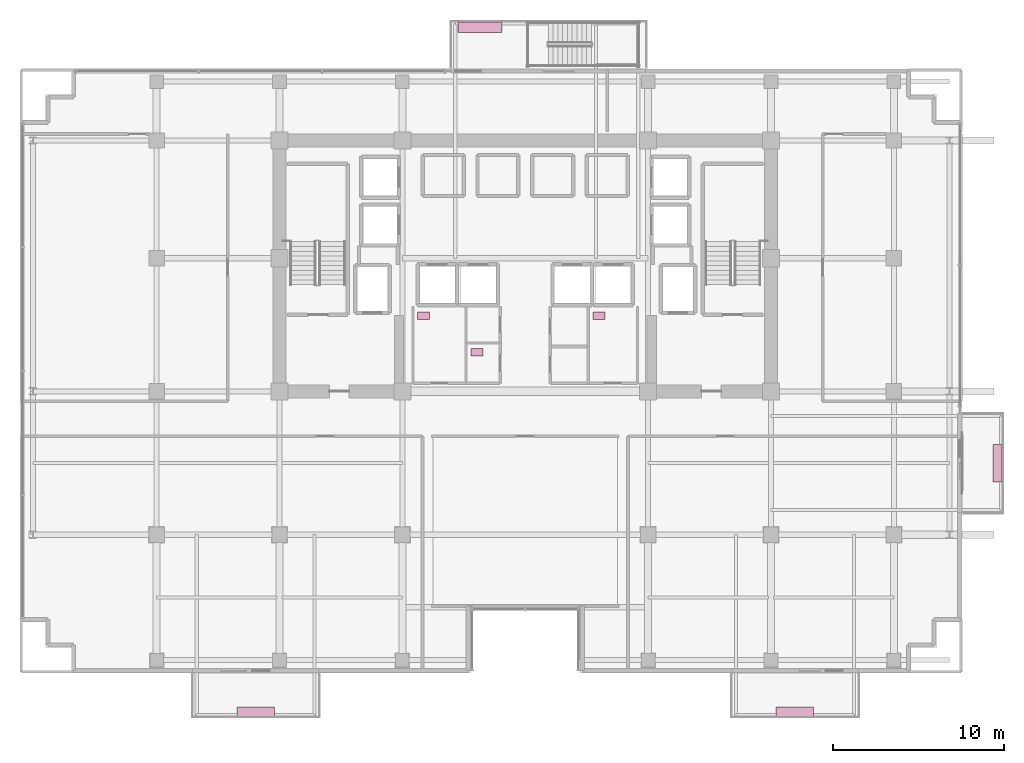
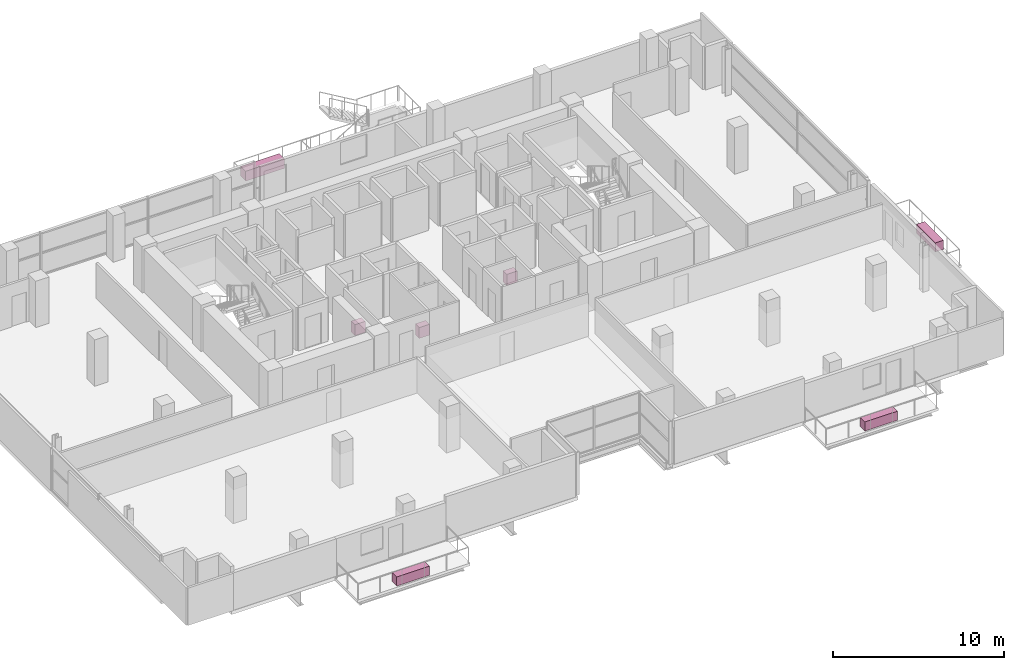
# One storey, part 27 of 27: 7 furnishings.
"""IFC4 building model written with IfcOpenShell, lengths in metres."""

from ifc_helpers import new_model, si_unit, direction, frame, origin, origin_2d, place, context, subcontext, project, spatial, rectangle, extrude, source, transform, mapped, material, type_object, element, save


model = new_model("IFC4")

# Units and contexts
model_context = context("Model", 3, precision=1e-05, world=origin(), true_north=direction((0.0, 1.0)))
body_context = subcontext(model_context, "Body", "Model", "MODEL_VIEW")
ifc_project = project(units=[si_unit("LENGTHUNIT", "METRE"), si_unit("AREAUNIT", "SQUARE_METRE"), si_unit("VOLUMEUNIT", "CUBIC_METRE"), si_unit("PLANEANGLEUNIT", "RADIAN"), si_unit("MASSUNIT", "GRAM", prefix="KILO")], contexts=[model_context])

# Site, building, storey
site_placement = place(None, origin())
site = spatial("IfcSite", under=ifc_project, at=site_placement, CompositionType="ELEMENT")
building_placement = place(site_placement, origin())
building = spatial("IfcBuilding", under=site, at=building_placement, Name="Zarnakvel Exchange Tower", CompositionType="ELEMENT")
storey_placement = place(building_placement, frame((0.0, 0.0, 86.800048828125)))
storey = spatial("IfcBuildingStorey", under=building, at=storey_placement, Name="L23", CompositionType="ELEMENT", Elevation=86.800048828125)

# Furnishings
ifc_material_1 = material(Name="Architectural Bronze Anodised Aluminium", Category="aluminium")
furnishing_element_type_1 = type_object("IfcFurnishingElementType", Name="PLNT-02", material=ifc_material_1)
shared_shape_1 = source(origin(), body_context, "Body", "SweptSolid", [
    extrude(rectangle(XDim=2.60009765625, YDim=0.60009765625, at=origin_2d()), origin(), (0.0, 0.0, 1.0), 0.699951171875),
])
furnishing_placement = place(storey_placement, frame((-2.64990234375, 20.139892578125, 0.0), z_axis=(0.0, 0.0, 1.0), x_axis=(1.0, 0.0, 0.0)))
element("IfcFurnishingElement", 1, at=furnishing_placement, inside=storey, type_object=furnishing_element_type_1, Name="L23 Spiral Sky-Terrace Tropical Planter", ObjectType="PLANTER", context=body_context, shape_type="MappedRepresentation", body=[
    mapped(shared_shape_1, transform((0.0, 0.0, 0.0), x_axis=(1.0, 0.0, 0.0), y_axis=(0.0, 1.0, 0.0), z_axis=(0.0, 0.0, 1.0), scale=1.0)),
])
furnishing_element_type_2 = type_object("IfcFurnishingElementType", Name="PLNT-01", material=ifc_material_1)
shared_shape_2 = source(origin(), body_context, "Body", "SweptSolid", [
    extrude(rectangle(XDim=2.199951171875, YDim=0.550048828125, at=origin_2d()), origin(), (0.0, 0.0, 1.0), 0.64990234375),
])
for number, where, z_axis, x_axis, name in (
    (2, (-15.800048828125, -19.969970703125, -0.06005859375), (0.0, 0.0, 1.0), (1.0, 0.0, 0.0), "L23 Balcony Greenery Planter BAL-L23-SW"),
    (3, (15.800048828125, -19.969970703125, -0.06005859375), (0.0, 0.0, 1.0), (1.0, 0.0, 0.0), "L23 Balcony Greenery Planter BAL-L23-SE"),
    (4, (27.669921875, -5.39990234375, -0.06005859375), (0.0, 0.0, 1.0), (0.0, 1.0, 0.0), "L23 Balcony Greenery Planter BAL-L23-E"),
):
    element("IfcFurnishingElement", number, at=place(storey_placement, frame(where, z_axis=z_axis, x_axis=x_axis)), inside=storey, type_object=furnishing_element_type_2, Name=name, ObjectType="PLANTER", context=body_context, shape_type="MappedRepresentation", body=[
        mapped(shared_shape_2, transform((0.0, 0.0, 0.0), x_axis=(1.0, 0.0, 0.0), y_axis=(0.0, 1.0, 0.0), z_axis=(0.0, 0.0, 1.0), scale=1.0)),
    ])
ifc_material_2 = material(Name="Vitreous China Sanitaryware", Category="ceramic")
furnishing_element_type_3 = type_object("IfcFurnishingElementType", Name="SAN-WC", material=ifc_material_2)
shared_shape_3 = source(origin(), body_context, "Body", "SweptSolid", [
    extrude(rectangle(XDim=0.699951171875, YDim=0.449951171875, at=origin_2d()), origin(), (0.0, 0.0, 1.0), 0.780029296875),
])
for number, where, z_axis, x_axis, name in (
    (5, (-5.949951171875, 3.22998046875, 0.0), (0.0, 0.0, 1.0), (1.0, 0.0, 0.0), "L23 Sanitary Fixture (Male Toilet)"),
    (6, (-2.840087890625, 1.10009765625, 0.0), (0.0, 0.0, 1.0), (1.0, 0.0, 0.0), "L23 Sanitary Fixture (Accessible Toilet)"),
    (7, (4.31005859375, 3.22998046875, 0.0), (0.0, 0.0, 1.0), (1.0, 0.0, 0.0), "L23 Sanitary Fixture (Female Toilet)"),
):
    element("IfcFurnishingElement", number, at=place(storey_placement, frame(where, z_axis=z_axis, x_axis=x_axis)), inside=storey, type_object=furnishing_element_type_3, Name=name, ObjectType="SANITARY_FIXTURE", context=body_context, shape_type="MappedRepresentation", body=[
        mapped(shared_shape_3, transform((0.0, 0.0, 0.0), x_axis=(1.0, 0.0, 0.0), y_axis=(0.0, 1.0, 0.0), z_axis=(0.0, 0.0, 1.0), scale=1.0)),
    ])

save(model, "model.ifc")
